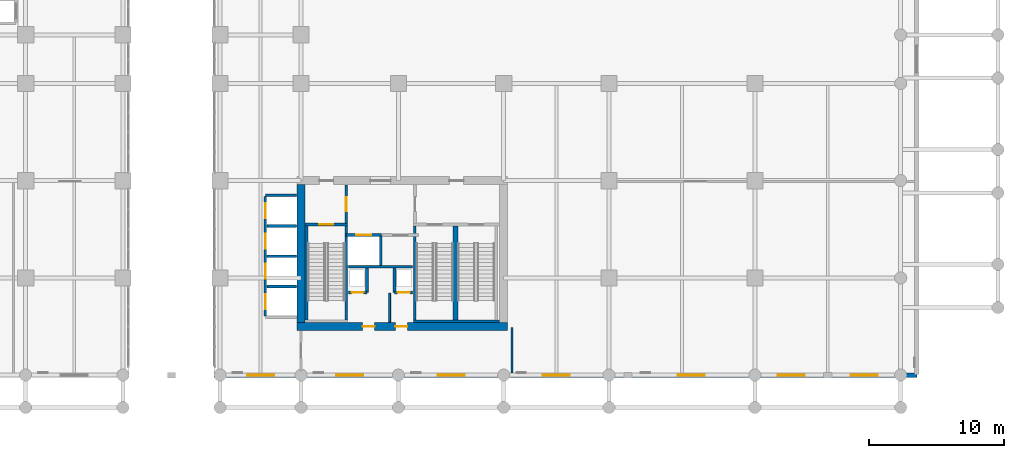
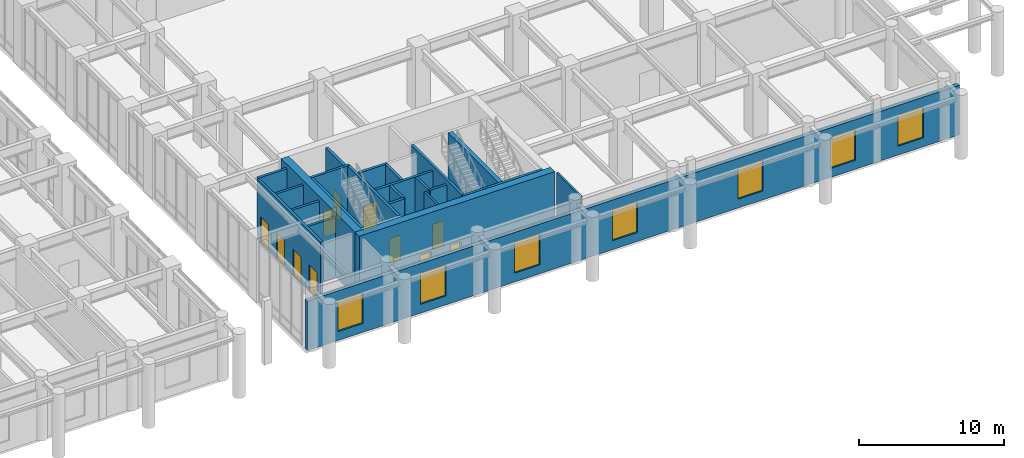
# One storey, part 16 of 23: 24 walls, 11 doors, 7 windows, 18 openings.
"""IFC4 building model written with IfcOpenShell, lengths in metres."""

from ifc_helpers import new_model, si_unit, derived_unit, direction, frame, frame_2d, origin, place, context, subcontext, project, spatial, rectangle, extrude, source, transform, mapped, material, layer, layer_set, type_object, type_shapes, element, fill, save


model = new_model("IFC4")

# Units and contexts
model_context = context("Model", 3, precision=1e-05, world=origin(), true_north=direction((0.0, 1.0)))
body_context = subcontext(model_context, "Body", "Model", "MODEL_VIEW")
ifc_project = project(units=[si_unit("LENGTHUNIT", "METRE"), si_unit("AREAUNIT", "SQUARE_METRE"), si_unit("VOLUMEUNIT", "CUBIC_METRE"), si_unit("PLANEANGLEUNIT", "RADIAN"), si_unit("MASSUNIT", "GRAM", prefix="KILO"), si_unit("THERMODYNAMICTEMPERATUREUNIT", "KELVIN"), si_unit("POWERUNIT", "WATT"), derived_unit("THERMALTRANSMITTANCEUNIT", [(si_unit("POWERUNIT", "WATT"), 1), (si_unit("AREAUNIT", "SQUARE_METRE"), -1), (si_unit("THERMODYNAMICTEMPERATUREUNIT", "KELVIN"), -1)])], contexts=[model_context])

# Site, building, storey
site_placement = place(None, origin())
site = spatial("IfcSite", under=ifc_project, at=site_placement, CompositionType="ELEMENT")
building_placement = place(site_placement, origin())
building = spatial("IfcBuilding", under=site, at=building_placement, Name="Zahravan Archway Hotel and Residences", CompositionType="ELEMENT")
storey_placement = place(building_placement, frame((0.0, 0.0, 5.39990234375)))
storey = spatial("IfcBuildingStorey", under=building, at=storey_placement, Name="L01", CompositionType="ELEMENT", Elevation=5.39990234375)

# Wall, openings, doors
ifc_material_1 = material(Name="Concrete C70/85", Category="concrete")
ifc_layer_1 = layer(ifc_material_1, 0.60009765625, Name="Concrete C70/85", Category="concrete")
ifc_layer_set_1 = layer_set([ifc_layer_1], Name="Concrete C70/85")
wall_type_1 = type_object("IfcWallType", Name="CW-CORE-600", PredefinedType="SHEAR", material=ifc_layer_set_1)
wall_1_placement = place(storey_placement, frame((34.5, 3.60009765625, 0.0), z_axis=(0.0, 0.0, 1.0), x_axis=(1.0, 0.0, 0.0)))
wall_1 = element("IfcWall", 1, at=wall_1_placement, inside=storey, type_object=wall_type_1, Name="L01 Core A Shear S Wall 600 mm", PredefinedType="SHEAR", context=body_context, shape_type="SweptSolid", body=[
    extrude(rectangle(XDim=15.60009765625, YDim=0.60009765625, at=frame_2d((7.800048828125, 0.0))), origin(), (0.0, 0.0, 1.0), 5.400146484375),
])
opening_1_placement = place(wall_1_placement, frame((4.85009765625, 0.0, 0.0)))
opening_1 = element("IfcOpeningElement", 2, at=opening_1_placement, cuts=wall_1, Name="Opening FD-R1", PredefinedType="OPENING", context=body_context, shape_type="SweptSolid", body=[
    extrude(rectangle(XDim=0.89990234375, YDim=2.10009765625, at=frame_2d((0.449951171875, 1.050048828125))), frame((0.0, 0.31005859375, 0.0), z_axis=(0.0, -1.0, 0.0), x_axis=(1.0, 0.0, 0.0)), (0.0, 0.0, 1.0), 0.6201171875),
])
opening_2_placement = place(wall_1_placement, frame((7.27001953125, 0.0, 0.0)))
opening_2 = element("IfcOpeningElement", 3, at=opening_2_placement, cuts=wall_1, Name="Opening FD-R1", PredefinedType="OPENING", context=body_context, shape_type="SweptSolid", body=[
    extrude(rectangle(XDim=0.89990234375, YDim=2.10009765625, at=frame_2d((0.449951171875, 1.050048828125))), frame((0.0, 0.31005859375, 0.0), z_axis=(0.0, -1.0, 0.0), x_axis=(1.0, 0.0, 0.0)), (0.0, 0.0, 1.0), 0.6201171875),
])
ifc_material_2 = material(Name="Fire-Rated Painted Steel", Category="steel")
door_type_1 = type_object("IfcDoorType", Name="FD-RISER-900", OperationType="NOTDEFINED", PredefinedType="DOOR", material=ifc_material_2)
shared_shape_1 = source(origin(), body_context, "Body", "SweptSolid", [
    extrude(rectangle(XDim=0.89990234375, YDim=2.10009765625, at=frame_2d((0.449951171875, 1.050048828125))), frame((0.0, 0.02490234375, 0.0), z_axis=(0.0, -1.0, 0.0), x_axis=(1.0, 0.0, 0.0)), (0.0, 0.0, 1.0), 0.050048828125),
])
type_shapes(door_type_1, [shared_shape_1])
door_1_placement = place(opening_1_placement, origin())
door_1 = element("IfcDoor", 4, at=door_1_placement, inside=storey, type_object=door_type_1, Name="L01 Service Pantry Door", OperationType="SINGLE_SWING_LEFT", OverallHeight=2.10009765625, OverallWidth=0.89990234375, PredefinedType="DOOR", context=body_context, shape_type="MappedRepresentation", body=[
    mapped(shared_shape_1, transform((0.0, 0.0, 0.0), scale=1.0)),
])
fill(opening_1, door_1)
door_2_placement = place(opening_2_placement, origin())
door_2 = element("IfcDoor", 5, at=door_2_placement, inside=storey, type_object=door_type_1, Name="L01 Fibre ELV Riser Door", OperationType="SINGLE_SWING_RIGHT", OverallHeight=2.10009765625, OverallWidth=0.89990234375, PredefinedType="DOOR", context=body_context, shape_type="MappedRepresentation", body=[
    mapped(shared_shape_1, transform((0.0, 0.0, 0.0), scale=1.0)),
])
fill(opening_2, door_2)

# Wall
wall_2_placement = place(storey_placement, frame((34.800048828125, 3.89990234375, 0.0), z_axis=(0.0, 0.0, 1.0), x_axis=(0.0, 1.0, 0.0)))
element("IfcWall", 6, at=wall_2_placement, inside=storey, type_object=wall_type_1, Name="L01 Core A Shear W Wall 600 mm", PredefinedType="SHEAR", context=body_context, shape_type="SweptSolid", body=[
    extrude(rectangle(XDim=10.2001953125, YDim=0.60009765625, at=frame_2d((5.10009765625, 0.0))), origin(), (0.0, 0.0, 1.0), 5.400146484375),
])

# Wall, openings, windows
ifc_material_3 = material(Name="Agra Buff Sandstone & Insulated Backup", Category="masonry")
ifc_layer_2 = layer(ifc_material_3, 0.320068359375, Name="Agra Buff Sandstone & Insulated Backup", Category="masonry")
ifc_layer_set_2 = layer_set([ifc_layer_2], Name="Agra Buff Sandstone & Insulated Backup")
wall_type_2 = type_object("IfcWallType", Name="EW-SAND-320", PredefinedType="SOLIDWALL", material=ifc_layer_set_2)
wall_3_placement = place(storey_placement, frame((28.35009765625, 0.0, 0.0), z_axis=(0.0, 0.0, 1.0), x_axis=(1.0, 0.0, 0.0)))
wall_3 = element("IfcWall", 7, at=wall_3_placement, inside=storey, type_object=wall_type_2, Name="L01 Podium Sandstone SE Wall", PredefinedType="SOLIDWALL", context=body_context, shape_type="SweptSolid", body=[
    extrude(rectangle(XDim=52.0498046875, YDim=0.320068359375, at=frame_2d((26.02490234375, 0.0))), origin(), (0.0, 0.0, 1.0), 4.18505859375),
])
opening_3_placement = place(wall_3_placement, frame((2.449951171875, 0.0, 0.75)))
opening_3 = element("IfcOpeningElement", 8, at=opening_3_placement, cuts=wall_3, Name="Opening W-01", PredefinedType="OPENING", context=body_context, shape_type="SweptSolid", body=[
    extrude(rectangle(XDim=2.0, YDim=2.60009765625, at=frame_2d((1.0, 1.300048828125))), frame((0.0, 0.169921875, 0.0), z_axis=(0.0, -1.0, 0.0), x_axis=(1.0, 0.0, 0.0)), (0.0, 0.0, 1.0), 0.340087890625),
])
opening_4_placement = place(wall_3_placement, frame((9.050048828125, 0.0, 0.75)))
opening_4 = element("IfcOpeningElement", 9, at=opening_4_placement, cuts=wall_3, Name="Opening W-01", PredefinedType="OPENING", context=body_context, shape_type="SweptSolid", body=[
    extrude(rectangle(XDim=2.0, YDim=2.60009765625, at=frame_2d((1.0, 1.300048828125))), frame((0.0, 0.169921875, 0.0), z_axis=(0.0, -1.0, 0.0), x_axis=(1.0, 0.0, 0.0)), (0.0, 0.0, 1.0), 0.340087890625),
])
opening_5_placement = place(wall_3_placement, frame((16.550048828125, 0.0, 0.75)))
opening_5 = element("IfcOpeningElement", 10, at=opening_5_placement, cuts=wall_3, Name="Opening W-01", PredefinedType="OPENING", context=body_context, shape_type="SweptSolid", body=[
    extrude(rectangle(XDim=2.0, YDim=2.60009765625, at=frame_2d((1.0, 1.300048828125))), frame((0.0, 0.169921875, 0.0), z_axis=(0.0, -1.0, 0.0), x_axis=(1.0, 0.0, 0.0)), (0.0, 0.0, 1.0), 0.340087890625),
])
opening_6_placement = place(wall_3_placement, frame((24.35009765625, 0.0, 0.75)))
opening_6 = element("IfcOpeningElement", 11, at=opening_6_placement, cuts=wall_3, Name="Opening W-01", PredefinedType="OPENING", context=body_context, shape_type="SweptSolid", body=[
    extrude(rectangle(XDim=2.0, YDim=2.60009765625, at=frame_2d((1.0, 1.300048828125))), frame((0.0, 0.169921875, 0.0), z_axis=(0.0, -1.0, 0.0), x_axis=(1.0, 0.0, 0.0)), (0.0, 0.0, 1.0), 0.340087890625),
])
opening_7_placement = place(wall_3_placement, frame((34.35009765625, 0.0, 0.75)))
opening_7 = element("IfcOpeningElement", 12, at=opening_7_placement, cuts=wall_3, Name="Opening W-01", PredefinedType="OPENING", context=body_context, shape_type="SweptSolid", body=[
    extrude(rectangle(XDim=2.0, YDim=2.60009765625, at=frame_2d((1.0, 1.300048828125))), frame((0.0, 0.169921875, 0.0), z_axis=(0.0, -1.0, 0.0), x_axis=(1.0, 0.0, 0.0)), (0.0, 0.0, 1.0), 0.340087890625),
])
opening_8_placement = place(wall_3_placement, frame((41.75, 0.0, 0.75)))
opening_8 = element("IfcOpeningElement", 13, at=opening_8_placement, cuts=wall_3, Name="Opening W-01", PredefinedType="OPENING", context=body_context, shape_type="SweptSolid", body=[
    extrude(rectangle(XDim=2.0, YDim=2.60009765625, at=frame_2d((1.0, 1.300048828125))), frame((0.0, 0.169921875, 0.0), z_axis=(0.0, -1.0, 0.0), x_axis=(1.0, 0.0, 0.0)), (0.0, 0.0, 1.0), 0.340087890625),
])
opening_9_placement = place(wall_3_placement, frame((47.14990234375, 0.0, 0.75)))
opening_9 = element("IfcOpeningElement", 14, at=opening_9_placement, cuts=wall_3, Name="Opening W-01", PredefinedType="OPENING", context=body_context, shape_type="SweptSolid", body=[
    extrude(rectangle(XDim=2.0, YDim=2.60009765625, at=frame_2d((1.0, 1.300048828125))), frame((0.0, 0.169921875, 0.0), z_axis=(0.0, -1.0, 0.0), x_axis=(1.0, 0.0, 0.0)), (0.0, 0.0, 1.0), 0.340087890625),
])
ifc_material_4 = material(Name="Bronze-Anodized Thermal-Break Aluminium & Low-E Glass", Category="aluminium")
window_type = type_object("IfcWindowType", Name="WIN-ARC-2000", PartitioningType="DOUBLE_PANEL_VERTICAL", PredefinedType="WINDOW", material=ifc_material_4)
shared_shape_2 = source(origin(), body_context, "Body", "SweptSolid", [
    extrude(rectangle(XDim=2.0, YDim=2.60009765625, at=frame_2d((1.0, 1.300048828125))), frame((0.0, 0.030029296875, 0.0), z_axis=(0.0, -1.0, 0.0), x_axis=(1.0, 0.0, 0.0)), (0.0, 0.0, 1.0), 0.06005859375),
])
type_shapes(window_type, [shared_shape_2])
window_1_placement = place(opening_3_placement, origin())
window_1 = element("IfcWindow", 15, at=window_1_placement, inside=storey, type_object=window_type, Name="L01 Podium Mughal Arch Window 05", OverallHeight=2.60009765625, OverallWidth=2.0, PartitioningType="DOUBLE_PANEL_VERTICAL", PredefinedType="WINDOW", context=body_context, shape_type="MappedRepresentation", body=[
    mapped(shared_shape_2, transform((0.0, 0.0, 0.0), scale=1.0)),
])
fill(opening_3, window_1)
window_2_placement = place(opening_4_placement, origin())
window_2 = element("IfcWindow", 16, at=window_2_placement, inside=storey, type_object=window_type, Name="L01 Podium Mughal Arch Window 06", OverallHeight=2.60009765625, OverallWidth=2.0, PartitioningType="DOUBLE_PANEL_VERTICAL", PredefinedType="WINDOW", context=body_context, shape_type="MappedRepresentation", body=[
    mapped(shared_shape_2, transform((0.0, 0.0, 0.0), scale=1.0)),
])
fill(opening_4, window_2)
window_3_placement = place(opening_5_placement, origin())
window_3 = element("IfcWindow", 17, at=window_3_placement, inside=storey, type_object=window_type, Name="L01 Podium Mughal Arch Window 07", OverallHeight=2.60009765625, OverallWidth=2.0, PartitioningType="DOUBLE_PANEL_VERTICAL", PredefinedType="WINDOW", context=body_context, shape_type="MappedRepresentation", body=[
    mapped(shared_shape_2, transform((0.0, 0.0, 0.0), scale=1.0)),
])
fill(opening_5, window_3)
window_4_placement = place(opening_6_placement, origin())
window_4 = element("IfcWindow", 18, at=window_4_placement, inside=storey, type_object=window_type, Name="L01 Podium Mughal Arch Window 08", OverallHeight=2.60009765625, OverallWidth=2.0, PartitioningType="DOUBLE_PANEL_VERTICAL", PredefinedType="WINDOW", context=body_context, shape_type="MappedRepresentation", body=[
    mapped(shared_shape_2, transform((0.0, 0.0, 0.0), scale=1.0)),
])
fill(opening_6, window_4)
window_5_placement = place(opening_7_placement, origin())
window_5 = element("IfcWindow", 19, at=window_5_placement, inside=storey, type_object=window_type, Name="L01 Podium Mughal Arch Window 09", OverallHeight=2.60009765625, OverallWidth=2.0, PartitioningType="DOUBLE_PANEL_VERTICAL", PredefinedType="WINDOW", context=body_context, shape_type="MappedRepresentation", body=[
    mapped(shared_shape_2, transform((0.0, 0.0, 0.0), scale=1.0)),
])
fill(opening_7, window_5)
window_6_placement = place(opening_8_placement, origin())
window_6 = element("IfcWindow", 20, at=window_6_placement, inside=storey, type_object=window_type, Name="L01 Podium Mughal Arch Window 10", OverallHeight=2.60009765625, OverallWidth=2.0, PartitioningType="DOUBLE_PANEL_VERTICAL", PredefinedType="WINDOW", context=body_context, shape_type="MappedRepresentation", body=[
    mapped(shared_shape_2, transform((0.0, 0.0, 0.0), scale=1.0)),
])
fill(opening_8, window_6)
window_7_placement = place(opening_9_placement, origin())
window_7 = element("IfcWindow", 21, at=window_7_placement, inside=storey, type_object=window_type, Name="L01 Podium Mughal Arch Window 11", OverallHeight=2.60009765625, OverallWidth=2.0, PartitioningType="DOUBLE_PANEL_VERTICAL", PredefinedType="WINDOW", context=body_context, shape_type="MappedRepresentation", body=[
    mapped(shared_shape_2, transform((0.0, 0.0, 0.0), scale=1.0)),
])
fill(opening_9, window_7)

# Wall, opening, door
ifc_material_5 = material(Name="Fire-Rated Gypsum & Concrete Block", Category="concrete")
ifc_layer_3 = layer(ifc_material_5, 0.219970703125, Name="Fire-Rated Gypsum & Concrete Block", Category="concrete")
ifc_layer_set_3 = layer_set([ifc_layer_3], Name="Fire-Rated Gypsum & Concrete Block")
wall_type_3 = type_object("IfcWallType", Name="PW-COMP-220", PredefinedType="PARTITIONING", material=ifc_layer_set_3)
wall_4_placement = place(storey_placement, frame((38.139892578125, 11.219970703125, 0.0), z_axis=(0.0, 0.0, 1.0), x_axis=(0.0, 1.0, 0.0)))
wall_4 = element("IfcWall", 22, at=wall_4_placement, inside=storey, type_object=wall_type_3, Name="L01 Partition CA-LOBW", PredefinedType="PARTITIONING", context=body_context, shape_type="SweptSolid", body=[
    extrude(rectangle(XDim=2.860107421875, YDim=0.219970703125, at=frame_2d((1.43017578125, 0.0))), origin(), (0.0, 0.0, 1.0), 5.10009765625),
])
opening_10_placement = place(wall_4_placement, frame((0.905029296875, 0.0, 0.0)))
opening_10 = element("IfcOpeningElement", 23, at=opening_10_placement, cuts=wall_4, Name="Opening FD-L2", PredefinedType="OPENING", context=body_context, shape_type="SweptSolid", body=[
    extrude(rectangle(XDim=1.050048828125, YDim=2.14990234375, at=frame_2d((0.52490234375, 1.074951171875))), frame((0.0, 0.1201171875, 0.0), z_axis=(0.0, -1.0, 0.0), x_axis=(1.0, 0.0, 0.0)), (0.0, 0.0, 1.0), 0.239990234375),
])
door_type_2 = type_object("IfcDoorType", Name="FD-LOBBY-1100", OperationType="NOTDEFINED", PredefinedType="DOOR", material=ifc_material_2)
shared_shape_3 = source(origin(), body_context, "Body", "SweptSolid", [
    extrude(rectangle(XDim=1.050048828125, YDim=2.14990234375, at=frame_2d((0.52490234375, 1.074951171875))), frame((0.0, 0.02490234375, 0.0), z_axis=(0.0, -1.0, 0.0), x_axis=(1.0, 0.0, 0.0)), (0.0, 0.0, 1.0), 0.050048828125),
])
type_shapes(door_type_2, [shared_shape_3])
door_3_placement = place(opening_10_placement, origin())
door_3 = element("IfcDoor", 24, at=door_3_placement, inside=storey, type_object=door_type_2, Name="L01 Core A West Stair to FSAE Lobby Door", OperationType="SINGLE_SWING_LEFT", OverallHeight=2.14990234375, OverallWidth=1.050048828125, PredefinedType="DOOR", context=body_context, shape_type="MappedRepresentation", body=[
    mapped(shared_shape_3, transform((0.0, 0.0, 0.0), scale=1.0)),
])
fill(opening_10, door_3)

# Walls
ifc_layer_4 = layer(ifc_material_5, 0.159912109375, Name="Fire-Rated Gypsum & Concrete Block", Category="concrete")
ifc_layer_set_4 = layer_set([ifc_layer_4], Name="Fire-Rated Gypsum & Concrete Block")
wall_type_4 = type_object("IfcWallType", Name="PW-CORR-160", PredefinedType="PARTITIONING", material=ifc_layer_set_4)
wall_5_placement = place(storey_placement, frame((50.419921875, 0.16796875, 0.0), z_axis=(0.0, 0.0, 1.0), x_axis=(0.0, 1.0, 0.0)))
element("IfcWall", 25, at=wall_5_placement, inside=storey, type_object=wall_type_4, Name="L01 Partition L01-CASE", PredefinedType="PARTITIONING", context=body_context, shape_type="SweptSolid", body=[
    extrude(rectangle(XDim=3.342041015625, YDim=0.159912109375, at=frame_2d((1.6708984375, 0.0))), origin(), (0.0, 0.0, 1.0), 5.10009765625),
])
ifc_layer_5 = layer(ifc_material_5, 0.199951171875, Name="Fire-Rated Gypsum & Concrete Block", Category="concrete")
ifc_layer_set_5 = layer_set([ifc_layer_5], Name="Fire-Rated Gypsum & Concrete Block")
wall_type_5 = type_object("IfcWallType", Name="PW-SHAFT-200", PredefinedType="PARTITIONING", material=ifc_layer_set_5)
wall_6_placement = place(storey_placement, frame((38.300048828125, 8.030029296875, 0.0), z_axis=(0.0, 0.0, 1.0), x_axis=(1.0, 0.0, 0.0)))
element("IfcWall", 26, at=wall_6_placement, inside=storey, type_object=wall_type_5, Name="L01 Partition CA-FLS", PredefinedType="PARTITIONING", context=body_context, shape_type="SweptSolid", body=[
    extrude(rectangle(XDim=4.739990234375, YDim=0.199951171875, at=frame_2d((2.3701171875, 0.0))), origin(), (0.0, 0.0, 1.0), 5.10009765625),
])
wall_7_placement = place(storey_placement, frame((40.699951171875, 8.1201171875, 0.0), z_axis=(0.0, 0.0, 1.0), x_axis=(0.0, 1.0, 0.0)))
element("IfcWall", 27, at=wall_7_placement, inside=storey, type_object=wall_type_5, Name="L01 Partition CA-FLM", PredefinedType="PARTITIONING", context=body_context, shape_type="SweptSolid", body=[
    extrude(rectangle(XDim=2.179931640625, YDim=0.199951171875, at=frame_2d((1.08984375, 0.0))), origin(), (0.0, 0.0, 1.0), 5.10009765625),
])

# Wall, opening, door
wall_8_placement = place(storey_placement, frame((38.2900390625, 6.1201171875, 0.0), z_axis=(0.0, 0.0, 1.0), x_axis=(1.0, 0.0, 0.0)))
wall_8 = element("IfcWall", 28, at=wall_8_placement, inside=storey, type_object=wall_type_5, Name="L01 Partition CA-SMKS", PredefinedType="PARTITIONING", context=body_context, shape_type="SweptSolid", body=[
    extrude(rectangle(XDim=1.3798828125, YDim=0.199951171875, at=frame_2d((0.68994140625, 0.0))), origin(), (0.0, 0.0, 1.0), 5.10009765625),
])
opening_11_placement = place(wall_8_placement, frame((0.239990234375, 0.0, 0.0)))
opening_11 = element("IfcOpeningElement", 29, at=opening_11_placement, cuts=wall_8, Name="Opening FD-R1", PredefinedType="OPENING", context=body_context, shape_type="SweptSolid", body=[
    extrude(rectangle(XDim=0.89990234375, YDim=2.10009765625, at=frame_2d((0.449951171875, 1.050048828125))), frame((0.0, 0.10986328125, 0.0), z_axis=(0.0, -1.0, 0.0), x_axis=(1.0, 0.0, 0.0)), (0.0, 0.0, 1.0), 0.219970703125),
])
door_4_placement = place(opening_11_placement, origin())
door_4 = element("IfcDoor", 30, at=door_4_placement, inside=storey, type_object=door_type_1, Name="L01 Smoke Riser Access Door", OperationType="SINGLE_SWING_LEFT", OverallHeight=2.10009765625, OverallWidth=0.89990234375, PredefinedType="DOOR", context=body_context, shape_type="MappedRepresentation", body=[
    mapped(shared_shape_1, transform((0.0, 0.0, 0.0), scale=1.0)),
])
fill(opening_11, door_4)

# Wall
wall_9_placement = place(storey_placement, frame((39.679931640625, 6.1298828125, 0.0), z_axis=(0.0, 0.0, 1.0), x_axis=(0.0, 1.0, 0.0)))
element("IfcWall", 31, at=wall_9_placement, inside=storey, type_object=wall_type_5, Name="L01 Partition CA-SMKE", PredefinedType="PARTITIONING", context=body_context, shape_type="SweptSolid", body=[
    extrude(rectangle(XDim=1.7900390625, YDim=0.199951171875, at=frame_2d((0.89501953125, 0.0))), origin(), (0.0, 0.0, 1.0), 5.10009765625),
])

# Wall, opening, door
wall_10_placement = place(storey_placement, frame((41.72998046875, 6.1201171875, 0.0), z_axis=(0.0, 0.0, 1.0), x_axis=(1.0, 0.0, 0.0)))
wall_10 = element("IfcWall", 32, at=wall_10_placement, inside=storey, type_object=wall_type_5, Name="L01 Partition CA-MEPS", PredefinedType="PARTITIONING", context=body_context, shape_type="SweptSolid", body=[
    extrude(rectangle(XDim=1.320068359375, YDim=0.199951171875, at=frame_2d((0.66015625, 0.0))), origin(), (0.0, 0.0, 1.0), 5.10009765625),
])
opening_12_placement = place(wall_10_placement, frame((0.219970703125, 0.0, 0.0)))
opening_12 = element("IfcOpeningElement", 33, at=opening_12_placement, cuts=wall_10, Name="Opening FD-R1", PredefinedType="OPENING", context=body_context, shape_type="SweptSolid", body=[
    extrude(rectangle(XDim=0.89990234375, YDim=2.10009765625, at=frame_2d((0.449951171875, 1.050048828125))), frame((0.0, 0.10986328125, 0.0), z_axis=(0.0, -1.0, 0.0), x_axis=(1.0, 0.0, 0.0)), (0.0, 0.0, 1.0), 0.219970703125),
])
door_5_placement = place(opening_12_placement, origin())
door_5 = element("IfcDoor", 34, at=door_5_placement, inside=storey, type_object=door_type_1, Name="L01 MEP Riser Access Door", OperationType="SINGLE_SWING_RIGHT", OverallHeight=2.10009765625, OverallWidth=0.89990234375, PredefinedType="DOOR", context=body_context, shape_type="MappedRepresentation", body=[
    mapped(shared_shape_1, transform((0.0, 0.0, 0.0), scale=1.0)),
])
fill(opening_12, door_5)

# Walls
wall_11_placement = place(storey_placement, frame((41.719970703125, 6.1298828125, 0.0), z_axis=(0.0, 0.0, 1.0), x_axis=(0.0, 1.0, 0.0)))
element("IfcWall", 35, at=wall_11_placement, inside=storey, type_object=wall_type_5, Name="L01 Partition CA-MEPW", PredefinedType="PARTITIONING", context=body_context, shape_type="SweptSolid", body=[
    extrude(rectangle(XDim=1.7900390625, YDim=0.199951171875, at=frame_2d((0.89501953125, 0.0))), origin(), (0.0, 0.0, 1.0), 5.10009765625),
])
wall_12_placement = place(storey_placement, frame((32.159912109375, 13.320068359375, 0.0), z_axis=(0.0, 0.0, 1.0), x_axis=(1.0, 0.0, 0.0)))
element("IfcWall", 36, at=wall_12_placement, inside=storey, type_object=wall_type_5, Name="L01 Partition B3-N", PredefinedType="PARTITIONING", context=body_context, shape_type="SweptSolid", body=[
    extrude(rectangle(XDim=2.31005859375, YDim=0.199951171875, at=frame_2d((1.155029296875, 0.0))), origin(), (0.0, 0.0, 1.0), 5.10009765625),
])

# Wall, openings, doors
wall_13_placement = place(storey_placement, frame((32.14990234375, 4.389892578125, 0.0), z_axis=(0.0, 0.0, 1.0), x_axis=(0.0, 1.0, 0.0)))
wall_13 = element("IfcWall", 37, at=wall_13_placement, inside=storey, type_object=wall_type_5, Name="L01 Partition B3-W", PredefinedType="PARTITIONING", context=body_context, shape_type="SweptSolid", body=[
    extrude(rectangle(XDim=8.820068359375, YDim=0.199951171875, at=frame_2d((4.41015625, 0.0))), origin(), (0.0, 0.0, 1.0), 5.10009765625),
])
opening_13_placement = place(wall_13_placement, frame((0.5, 0.0, 0.0)))
opening_13 = element("IfcOpeningElement", 38, at=opening_13_placement, cuts=wall_13, Name="Opening LD", PredefinedType="OPENING", context=body_context, shape_type="SweptSolid", body=[
    extrude(rectangle(XDim=1.10009765625, YDim=2.199951171875, at=frame_2d((0.550048828125, 1.10009765625))), frame((0.0, 0.10986328125, 0.0), z_axis=(0.0, -1.0, 0.0), x_axis=(1.0, 0.0, 0.0)), (0.0, 0.0, 1.0), 0.219970703125),
])
opening_14_placement = place(wall_13_placement, frame((2.739990234375, 0.0, 0.0)))
opening_14 = element("IfcOpeningElement", 39, at=opening_14_placement, cuts=wall_13, Name="Opening LD", PredefinedType="OPENING", context=body_context, shape_type="SweptSolid", body=[
    extrude(rectangle(XDim=1.10009765625, YDim=2.199951171875, at=frame_2d((0.550048828125, 1.10009765625))), frame((0.0, 0.10986328125, 0.0), z_axis=(0.0, -1.0, 0.0), x_axis=(1.0, 0.0, 0.0)), (0.0, 0.0, 1.0), 0.219970703125),
])
opening_15_placement = place(wall_13_placement, frame((4.97998046875, 0.0, 0.0)))
opening_15 = element("IfcOpeningElement", 40, at=opening_15_placement, cuts=wall_13, Name="Opening LD", PredefinedType="OPENING", context=body_context, shape_type="SweptSolid", body=[
    extrude(rectangle(XDim=1.10009765625, YDim=2.199951171875, at=frame_2d((0.550048828125, 1.10009765625))), frame((0.0, 0.10986328125, 0.0), z_axis=(0.0, -1.0, 0.0), x_axis=(1.0, 0.0, 0.0)), (0.0, 0.0, 1.0), 0.219970703125),
])
opening_16_placement = place(wall_13_placement, frame((7.219970703125, 0.0, 0.0)))
opening_16 = element("IfcOpeningElement", 41, at=opening_16_placement, cuts=wall_13, Name="Opening LD", PredefinedType="OPENING", context=body_context, shape_type="SweptSolid", body=[
    extrude(rectangle(XDim=1.10009765625, YDim=2.199951171875, at=frame_2d((0.550048828125, 1.10009765625))), frame((0.0, 0.10986328125, 0.0), z_axis=(0.0, -1.0, 0.0), x_axis=(1.0, 0.0, 0.0)), (0.0, 0.0, 1.0), 0.219970703125),
])
ifc_material_6 = material(Name="Brushed Stainless Steel", Category="steel")
door_type_3 = type_object("IfcDoorType", Name="DR-LIFT-LD", OperationType="SLIDING_TO_LEFT", PredefinedType="DOOR", material=ifc_material_6)
shared_shape_4 = source(origin(), body_context, "Body", "SweptSolid", [
    extrude(rectangle(XDim=1.10009765625, YDim=2.199951171875, at=frame_2d((0.550048828125, 1.10009765625))), frame((0.0, 0.02490234375, 0.0), z_axis=(0.0, -1.0, 0.0), x_axis=(1.0, 0.0, 0.0)), (0.0, 0.0, 1.0), 0.050048828125),
])
type_shapes(door_type_3, [shared_shape_4])
door_6_placement = place(opening_13_placement, origin())
door_6 = element("IfcDoor", 42, at=door_6_placement, inside=storey, type_object=door_type_3, Name="L01 Lift LP-7 Sliding Landing Door", OperationType="SLIDING_TO_LEFT", OverallHeight=2.199951171875, OverallWidth=1.10009765625, PredefinedType="DOOR", context=body_context, shape_type="MappedRepresentation", body=[
    mapped(shared_shape_4, transform((0.0, 0.0, 0.0), scale=1.0)),
])
fill(opening_13, door_6)
door_7_placement = place(opening_14_placement, origin())
door_7 = element("IfcDoor", 43, at=door_7_placement, inside=storey, type_object=door_type_3, Name="L01 Lift LP-8 Sliding Landing Door", OperationType="SLIDING_TO_LEFT", OverallHeight=2.199951171875, OverallWidth=1.10009765625, PredefinedType="DOOR", context=body_context, shape_type="MappedRepresentation", body=[
    mapped(shared_shape_4, transform((0.0, 0.0, 0.0), scale=1.0)),
])
fill(opening_14, door_7)
door_8_placement = place(opening_15_placement, origin())
door_8 = element("IfcDoor", 44, at=door_8_placement, inside=storey, type_object=door_type_3, Name="L01 Lift LP-9 Sliding Landing Door", OperationType="SLIDING_TO_LEFT", OverallHeight=2.199951171875, OverallWidth=1.10009765625, PredefinedType="DOOR", context=body_context, shape_type="MappedRepresentation", body=[
    mapped(shared_shape_4, transform((0.0, 0.0, 0.0), scale=1.0)),
])
fill(opening_15, door_8)
door_9_placement = place(opening_16_placement, origin())
door_9 = element("IfcDoor", 45, at=door_9_placement, inside=storey, type_object=door_type_3, Name="L01 Lift LP-10 Sliding Landing Door", OperationType="SLIDING_TO_LEFT", OverallHeight=2.199951171875, OverallWidth=1.10009765625, PredefinedType="DOOR", context=body_context, shape_type="MappedRepresentation", body=[
    mapped(shared_shape_4, transform((0.0, 0.0, 0.0), scale=1.0)),
])
fill(opening_16, door_9)

# Walls
for number, where, z_axis, x_axis, name in (
    (46, (32.260009765625, 6.56005859375, 0.0), (0.0, 0.0, 1.0), (1.0, 0.0, 0.0), "L01 Partition B3-D"),
    (47, (32.260009765625, 8.800048828125, 0.0), (0.0, 0.0, 1.0), (1.0, 0.0, 0.0), "L01 Partition B3-D"),
    (48, (32.260009765625, 11.0400390625, 0.0), (0.0, 0.0, 1.0), (1.0, 0.0, 0.0), "L01 Partition B3-D"),
):
    element("IfcWall", number, at=place(storey_placement, frame(where, z_axis=z_axis, x_axis=x_axis)), inside=storey, type_object=wall_type_5, Name=name, PredefinedType="PARTITIONING", context=body_context, shape_type="SweptSolid", body=[
        extrude(rectangle(XDim=2.179931640625, YDim=0.199951171875, at=frame_2d((1.08984375, 0.0))), origin(), (0.0, 0.0, 1.0), 5.10009765625),
    ])

# Wall, opening, door
wall_14_placement = place(storey_placement, frame((38.1201171875, 10.3701171875, 0.0), z_axis=(0.0, 0.0, 1.0), x_axis=(1.0, 0.0, 0.0)))
wall_14 = element("IfcWall", 49, at=wall_14_placement, inside=storey, type_object=wall_type_5, Name="L01 Lift FL-1 Front Wall", PredefinedType="PARTITIONING", context=body_context, shape_type="SweptSolid", body=[
    extrude(rectangle(XDim=2.639892578125, YDim=0.199951171875, at=frame_2d((1.31982421875, 0.0))), origin(), (0.0, 0.0, 1.0), 5.10009765625),
])
opening_17_placement = place(wall_14_placement, frame((0.77001953125, 0.0, 0.0)))
opening_17 = element("IfcOpeningElement", 50, at=opening_17_placement, cuts=wall_14, Name="Opening LD", PredefinedType="OPENING", context=body_context, shape_type="SweptSolid", body=[
    extrude(rectangle(XDim=1.10009765625, YDim=2.199951171875, at=frame_2d((0.550048828125, 1.10009765625))), frame((0.0, 0.10986328125, 0.0), z_axis=(0.0, -1.0, 0.0), x_axis=(1.0, 0.0, 0.0)), (0.0, 0.0, 1.0), 0.219970703125),
])
door_10_placement = place(opening_17_placement, origin())
door_10 = element("IfcDoor", 51, at=door_10_placement, inside=storey, type_object=door_type_3, Name="L01 Lift FL-1 Sliding Landing Door", OperationType="SLIDING_TO_LEFT", OverallHeight=2.199951171875, OverallWidth=1.10009765625, PredefinedType="DOOR", context=body_context, shape_type="MappedRepresentation", body=[
    mapped(shared_shape_4, transform((0.0, 0.0, 0.0), scale=1.0)),
])
fill(opening_17, door_10)

# Walls
ifc_material_7 = material(Name="Moisture-Resistant Blockwork", Category="masonry")
ifc_layer_6 = layer(ifc_material_7, 0.139892578125, Name="Moisture-Resistant Blockwork", Category="masonry")
ifc_layer_set_6 = layer_set([ifc_layer_6], Name="Moisture-Resistant Blockwork")
wall_type_6 = type_object("IfcWallType", Name="PW-WET-140", PredefinedType="PARTITIONING", material=ifc_layer_set_6)
wall_15_placement = place(storey_placement, frame((41.35009765625, 3.919921875, 0.0), z_axis=(0.0, 0.0, 1.0), x_axis=(0.0, 1.0, 0.0)))
element("IfcWall", 52, at=wall_15_placement, inside=storey, type_object=wall_type_6, Name="L01 Partition CA-CV3", PredefinedType="PARTITIONING", context=body_context, shape_type="SweptSolid", body=[
    extrude(rectangle(XDim=2.16015625, YDim=0.139892578125, at=frame_2d((1.080078125, 0.0))), origin(), (0.0, 0.0, 1.0), 5.10009765625),
])
ifc_material_8 = material(Name="Concrete C50/60", Category="concrete")
ifc_layer_7 = layer(ifc_material_8, 0.199951171875, Name="Concrete C50/60", Category="concrete")
ifc_layer_set_7 = layer_set([ifc_layer_7], Name="Concrete C50/60")
wall_type_7 = type_object("IfcWallType", Name="SW-STAIR-200", PredefinedType="SHEAR", material=ifc_layer_set_7)
for number, where, z_axis, x_axis, name in (
    (53, (35.199951171875, 4.10009765625, 0.0), (0.0, 0.0, 1.0), (0.0, 1.0, 0.0), "L01 Stairwell RC Wall CA-SA1W"),
    (54, (38.139892578125, 4.10009765625, 0.0), (0.0, 0.0, 1.0), (0.0, 1.0, 0.0), "L01 Stairwell RC Wall CA-SA1E"),
):
    element("IfcWall", number, at=place(storey_placement, frame(where, z_axis=z_axis, x_axis=x_axis)), inside=storey, type_object=wall_type_7, Name=name, PredefinedType="SHEAR", context=body_context, shape_type="SweptSolid", body=[
        extrude(rectangle(XDim=6.949951171875, YDim=0.199951171875, at=frame_2d((3.47509765625, 0.0))), origin(), (0.0, 0.0, 1.0), 5.400146484375),
    ])

# Wall, opening, door
wall_16_placement = place(storey_placement, frame((35.10009765625, 11.14990234375, 0.0), z_axis=(0.0, 0.0, 1.0), x_axis=(1.0, 0.0, 0.0)))
wall_16 = element("IfcWall", 55, at=wall_16_placement, inside=storey, type_object=wall_type_7, Name="L01 Stairwell RC Wall CA-SA1N", PredefinedType="SHEAR", context=body_context, shape_type="SweptSolid", body=[
    extrude(rectangle(XDim=3.139892578125, YDim=0.199951171875, at=frame_2d((1.56982421875, 0.0))), origin(), (0.0, 0.0, 1.0), 5.400146484375),
])
opening_18_placement = place(wall_16_placement, frame((1.044921875, 0.0, 0.0)))
opening_18 = element("IfcOpeningElement", 56, at=opening_18_placement, cuts=wall_16, Name="Opening FD-S1", PredefinedType="OPENING", context=body_context, shape_type="SweptSolid", body=[
    extrude(rectangle(XDim=1.050048828125, YDim=2.199951171875, at=frame_2d((0.52490234375, 1.10009765625))), frame((0.0, 0.10986328125, 0.0), z_axis=(0.0, -1.0, 0.0), x_axis=(1.0, 0.0, 0.0)), (0.0, 0.0, 1.0), 0.219970703125),
])
door_type_4 = type_object("IfcDoorType", Name="FD-STAIR-1100", OperationType="NOTDEFINED", PredefinedType="DOOR", material=ifc_material_2)
shared_shape_5 = source(origin(), body_context, "Body", "SweptSolid", [
    extrude(rectangle(XDim=1.050048828125, YDim=2.199951171875, at=frame_2d((0.52490234375, 1.10009765625))), frame((0.0, 0.02490234375, 0.0), z_axis=(0.0, -1.0, 0.0), x_axis=(1.0, 0.0, 0.0)), (0.0, 0.0, 1.0), 0.050048828125),
])
type_shapes(door_type_4, [shared_shape_5])
door_11_placement = place(opening_18_placement, origin())
door_11 = element("IfcDoor", 57, at=door_11_placement, inside=storey, type_object=door_type_4, Name="L01 Stair ST-A1 Door", OperationType="SINGLE_SWING_RIGHT", OverallHeight=2.199951171875, OverallWidth=1.050048828125, PredefinedType="DOOR", context=body_context, shape_type="MappedRepresentation", body=[
    mapped(shared_shape_5, transform((0.0, 0.0, 0.0), scale=1.0)),
])
fill(opening_18, door_11)

# Walls
wall_17_placement = place(storey_placement, frame((43.1201171875, 4.0, 0.0), z_axis=(0.0, 0.0, 1.0), x_axis=(1.0, 0.0, 0.0)))
element("IfcWall", 58, at=wall_17_placement, inside=storey, type_object=wall_type_7, Name="L01 Stairwell RC Wall CA-SA23S", PredefinedType="SHEAR", context=body_context, shape_type="SweptSolid", body=[
    extrude(rectangle(XDim=6.3798828125, YDim=0.199951171875, at=frame_2d((3.18994140625, 0.0))), origin(), (0.0, 0.0, 1.0), 5.400146484375),
])
wall_18_placement = place(storey_placement, frame((43.219970703125, 4.10009765625, 0.0), z_axis=(0.0, 0.0, 1.0), x_axis=(0.0, 1.0, 0.0)))
element("IfcWall", 59, at=wall_18_placement, inside=storey, type_object=wall_type_7, Name="L01 Stairwell RC Wall CA-SA2W", PredefinedType="SHEAR", context=body_context, shape_type="SweptSolid", body=[
    extrude(rectangle(XDim=6.949951171875, YDim=0.199951171875, at=frame_2d((3.47509765625, 0.0))), origin(), (0.0, 0.0, 1.0), 5.400146484375),
])
ifc_layer_8 = layer(ifc_material_8, 0.340087890625, Name="Concrete C50/60", Category="concrete")
ifc_layer_set_8 = layer_set([ifc_layer_8], Name="Concrete C50/60")
wall_type_8 = type_object("IfcWallType", Name="SW-STAIR-340", PredefinedType="SHEAR", material=ifc_layer_set_8)
wall_19_placement = place(storey_placement, frame((46.22998046875, 4.10009765625, 0.0), z_axis=(0.0, 0.0, 1.0), x_axis=(0.0, 1.0, 0.0)))
element("IfcWall", 60, at=wall_19_placement, inside=storey, type_object=wall_type_8, Name="L01 Stairwell RC Wall CA-SA23M", PredefinedType="SHEAR", context=body_context, shape_type="SweptSolid", body=[
    extrude(rectangle(XDim=6.949951171875, YDim=0.340087890625, at=frame_2d((3.47509765625, 0.0))), origin(), (0.0, 0.0, 1.0), 5.400146484375),
])

save(model, "model.ifc")
